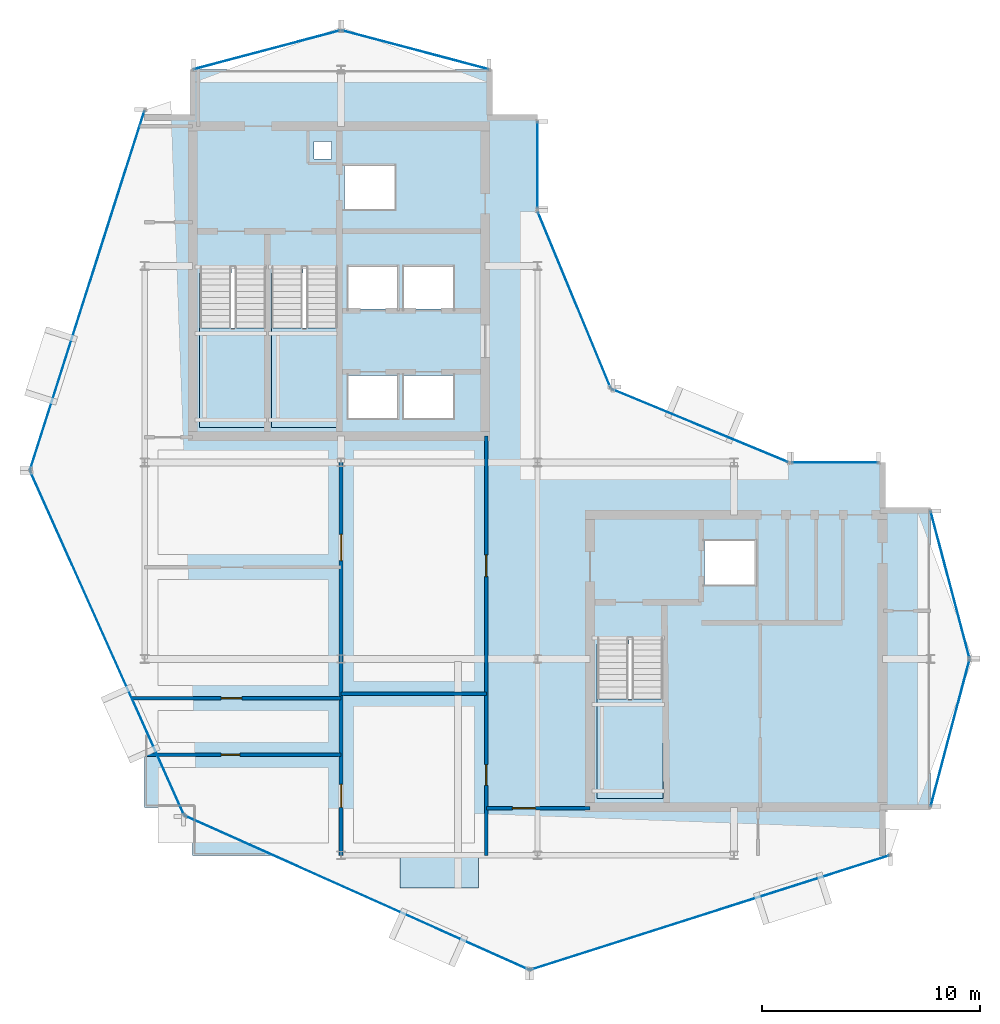
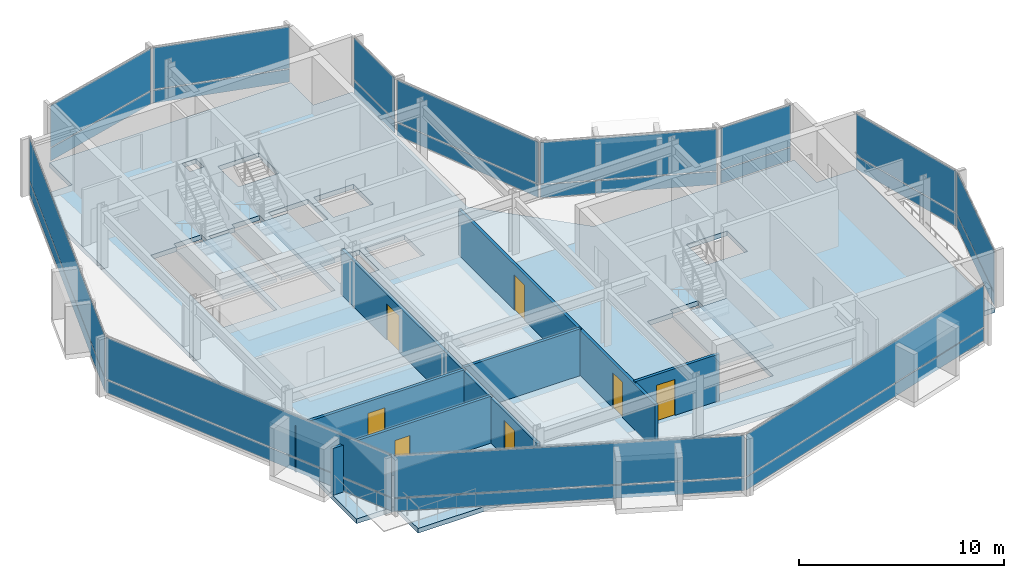
# One storey, part 13 of 19: 24 plates, 7 doors, 6 walls, 5 slabs, 7 openings, 15 elements without a shape of their own.
"""IFC4 building model written with IfcOpenShell, lengths in metres."""

from ifc_helpers import new_model, si_unit, direction, frame, frame_2d, origin, origin_2d, place, context, subcontext, project, spatial, polyline, rectangle, outline, extrude, material, layer, layer_set, type_object, element, fill, aggregate, save


model = new_model("IFC4")

# Units and contexts
model_context = context("Model", 3, precision=1e-05, world=origin(), true_north=direction((0.0, 1.0)))
body_context = subcontext(model_context, "Body", "Model", "MODEL_VIEW")
ifc_project = project(units=[si_unit("LENGTHUNIT", "METRE"), si_unit("AREAUNIT", "SQUARE_METRE"), si_unit("VOLUMEUNIT", "CUBIC_METRE"), si_unit("PLANEANGLEUNIT", "RADIAN"), si_unit("MASSUNIT", "GRAM", prefix="KILO")], contexts=[model_context])

# Site, building, storey
site_placement = place(None, origin())
site = spatial("IfcSite", under=ifc_project, at=site_placement, CompositionType="ELEMENT")
building_placement = place(site_placement, origin())
building = spatial("IfcBuilding", under=site, at=building_placement, Name="Solvaryn Broadcast Tower", CompositionType="ELEMENT")
storey_placement = place(building_placement, frame((0.0, 0.0, 240.800048828125)))
storey = spatial("IfcBuildingStorey", under=building, at=storey_placement, Name="L60", CompositionType="ELEMENT", Elevation=240.800048828125)

# Curtain wall, plates
ifc_material_1 = material(Name="Aluminium and Terracotta Unitised Curtain Wall", Category="masonry")
ifc_layer_1 = layer(ifc_material_1, 0.199951171875)
ifc_layer_set_1 = layer_set([ifc_layer_1], Name="CW-SYS2-LOWMID")
curtain_wall_type = type_object("IfcCurtainWallType", Name="CW-SYS2-LOWMID", PredefinedType="NOTDEFINED", material=ifc_layer_set_1)
curtain_wall_1_placement = place(storey_placement, origin())
curtain_wall_1 = element("IfcCurtainWall", 1, at=curtain_wall_1_placement, inside=storey, type_object=curtain_wall_type, Name="L60 Curtain Wall DR1", PredefinedType="NOTDEFINED")
ifc_material_2 = material(Name="Kiln-Fired Architectural Terracotta Spandrel", Category="masonry")
ifc_layer_2 = layer(ifc_material_2, 0.048095703125)
ifc_layer_set_2 = layer_set([ifc_layer_2], Name="CW-PNL-TERRACOTTA")
plate_type = type_object("IfcPlateType", Name="CW-PNL-TERRACOTTA", PredefinedType="CURTAIN_PANEL", material=ifc_layer_set_2)
plate_1_placement = place(storey_placement, frame((6.368896484375, 34.892578125, 0.06005859375), z_axis=(0.0, 0.0, 1.0), x_axis=(-0.30361564569, -0.952794594701, 0.0)))
plate_1 = element("IfcPlate", 2, at=plate_1_placement, type_object=plate_type, Name="CWS2 panel 1.1", PredefinedType="CURTAIN_PANEL", context=body_context, shape_type="SweptSolid", body=[
    extrude(rectangle(XDim=17.211181640625, YDim=0.028076171875, at=origin_2d()), origin(), (0.0, 0.0, 1.0), 0.760009765625),
])
plate_2_placement = place(storey_placement, frame((6.368896484375, 34.892578125, 0.8798828125), z_axis=(0.0, 0.0, 1.0), x_axis=(-0.30361564569, -0.952794594701, 0.0)))
plate_2 = element("IfcPlate", 3, at=plate_2_placement, type_object=plate_type, Name="CWS2 panel 1.2", PredefinedType="CURTAIN_PANEL", context=body_context, shape_type="SweptSolid", body=[
    extrude(rectangle(XDim=17.211181640625, YDim=0.028076171875, at=origin_2d()), origin(), (0.0, 0.0, 1.0), 2.47998046875),
])
aggregate(curtain_wall_1, [plate_1, plate_2])

curtain_wall_2_placement = place(storey_placement, origin())
curtain_wall_2 = element("IfcCurtainWall", 4, at=curtain_wall_2_placement, inside=storey, type_object=curtain_wall_type, Name="L60 Curtain Wall DR2", PredefinedType="NOTDEFINED")
plate_3_placement = place(storey_placement, frame((7.277587890625, 18.7265625, 0.06005859375), z_axis=(0.0, 0.0, 1.0), x_axis=(0.408466010682, -0.912773530574, 0.0)))
plate_3 = element("IfcPlate", 5, at=plate_3_placement, type_object=plate_type, Name="CWS2 panel 1.1", PredefinedType="CURTAIN_PANEL", context=body_context, shape_type="SweptSolid", body=[
    extrude(rectangle(XDim=17.210693359375, YDim=0.028076171875, at=origin_2d()), origin(), (0.0, 0.0, 1.0), 0.760009765625),
])
plate_4_placement = place(storey_placement, frame((7.277587890625, 18.7265625, 0.8798828125), z_axis=(0.0, 0.0, 1.0), x_axis=(0.408466010682, -0.912773530574, 0.0)))
plate_4 = element("IfcPlate", 6, at=plate_4_placement, type_object=plate_type, Name="CWS2 panel 1.2", PredefinedType="CURTAIN_PANEL", context=body_context, shape_type="SweptSolid", body=[
    extrude(rectangle(XDim=17.210693359375, YDim=0.028076171875, at=origin_2d()), origin(), (0.0, 0.0, 1.0), 2.47998046875),
])
aggregate(curtain_wall_2, [plate_3, plate_4])

curtain_wall_3_placement = place(storey_placement, origin())
curtain_wall_3 = element("IfcCurtainWall", 7, at=curtain_wall_3_placement, inside=storey, type_object=curtain_wall_type, Name="L60 Curtain Wall DR3", PredefinedType="NOTDEFINED")
plate_5_placement = place(storey_placement, frame((18.7265625, 7.277587890625, 0.06005859375), z_axis=(0.0, 0.0, 1.0), x_axis=(0.912773530574, -0.408466010682, 0.0)))
plate_5 = element("IfcPlate", 8, at=plate_5_placement, type_object=plate_type, Name="CWS2 panel 1.1", PredefinedType="CURTAIN_PANEL", context=body_context, shape_type="SweptSolid", body=[
    extrude(rectangle(XDim=17.210693359375, YDim=0.028076171875, at=origin_2d()), origin(), (0.0, 0.0, 1.0), 0.760009765625),
])
plate_6_placement = place(storey_placement, frame((18.7265625, 7.277587890625, 0.8798828125), z_axis=(0.0, 0.0, 1.0), x_axis=(0.912773530574, -0.408466010682, 0.0)))
plate_6 = element("IfcPlate", 9, at=plate_6_placement, type_object=plate_type, Name="CWS2 panel 1.2", PredefinedType="CURTAIN_PANEL", context=body_context, shape_type="SweptSolid", body=[
    extrude(rectangle(XDim=17.210693359375, YDim=0.028076171875, at=origin_2d()), origin(), (0.0, 0.0, 1.0), 2.47998046875),
])
aggregate(curtain_wall_3, [plate_5, plate_6])

curtain_wall_4_placement = place(storey_placement, origin())
curtain_wall_4 = element("IfcCurtainWall", 10, at=curtain_wall_4_placement, inside=storey, type_object=curtain_wall_type, Name="L60 Curtain Wall DR4", PredefinedType="NOTDEFINED")
plate_7_placement = place(storey_placement, frame((34.892578125, 6.368896484375, 0.06005859375), z_axis=(0.0, 0.0, 1.0), x_axis=(0.952794594701, 0.30361564569, 0.0)))
plate_7 = element("IfcPlate", 11, at=plate_7_placement, type_object=plate_type, Name="CWS2 panel 1.1", PredefinedType="CURTAIN_PANEL", context=body_context, shape_type="SweptSolid", body=[
    extrude(rectangle(XDim=17.211181640625, YDim=0.028076171875, at=origin_2d()), origin(), (0.0, 0.0, 1.0), 0.760009765625),
])
plate_8_placement = place(storey_placement, frame((34.892578125, 6.368896484375, 0.8798828125), z_axis=(0.0, 0.0, 1.0), x_axis=(0.952794594701, 0.30361564569, 0.0)))
plate_8 = element("IfcPlate", 12, at=plate_8_placement, type_object=plate_type, Name="CWS2 panel 1.2", PredefinedType="CURTAIN_PANEL", context=body_context, shape_type="SweptSolid", body=[
    extrude(rectangle(XDim=17.211181640625, YDim=0.028076171875, at=origin_2d()), origin(), (0.0, 0.0, 1.0), 2.47998046875),
])
aggregate(curtain_wall_4, [plate_7, plate_8])

curtain_wall_5_placement = place(storey_placement, origin())
curtain_wall_5 = element("IfcCurtainWall", 13, at=curtain_wall_5_placement, inside=storey, type_object=curtain_wall_type, Name="L60 Curtain Wall IV", PredefinedType="NOTDEFINED")
plate_9_placement = place(storey_placement, frame((27.0, 40.625, 0.06005859375), z_axis=(0.0, 0.0, 1.0), x_axis=(0.0, -1.0, 0.0)))
plate_9 = element("IfcPlate", 14, at=plate_9_placement, type_object=plate_type, Name="CWS2 panel 1.1", PredefinedType="CURTAIN_PANEL", context=body_context, shape_type="SweptSolid", body=[
    extrude(rectangle(XDim=3.929931640625, YDim=0.028076171875, at=origin_2d()), origin(), (0.0, 0.0, 1.0), 0.760009765625),
])
plate_10_placement = place(storey_placement, frame((27.0, 40.625, 0.8798828125), z_axis=(0.0, 0.0, 1.0), x_axis=(0.0, -1.0, 0.0)))
plate_10 = element("IfcPlate", 15, at=plate_10_placement, type_object=plate_type, Name="CWS2 panel 1.2", PredefinedType="CURTAIN_PANEL", context=body_context, shape_type="SweptSolid", body=[
    extrude(rectangle(XDim=3.929931640625, YDim=0.028076171875, at=origin_2d()), origin(), (0.0, 0.0, 1.0), 2.47998046875),
])
aggregate(curtain_wall_5, [plate_9, plate_10])

curtain_wall_6_placement = place(storey_placement, origin())
curtain_wall_6 = element("IfcCurtainWall", 16, at=curtain_wall_6_placement, inside=storey, type_object=curtain_wall_type, Name="L60 Curtain Wall CN1", PredefinedType="NOTDEFINED")
plate_11_placement = place(storey_placement, frame((34.43408203125, 28.68408203125, 0.06005859375), z_axis=(0.0, 0.0, 1.0), x_axis=(-0.923894983957, 0.382646127145, 0.0)))
plate_11 = element("IfcPlate", 17, at=plate_11_placement, type_object=plate_type, Name="CWS2 panel 1.1", PredefinedType="CURTAIN_PANEL", context=body_context, shape_type="SweptSolid", body=[
    extrude(rectangle(XDim=8.681884765625, YDim=0.028076171875, at=origin_2d()), origin(), (0.0, 0.0, 1.0), 0.760009765625),
])
plate_12_placement = place(storey_placement, frame((34.43408203125, 28.68408203125, 0.8798828125), z_axis=(0.0, 0.0, 1.0), x_axis=(-0.923894983957, 0.382646127145, 0.0)))
plate_12 = element("IfcPlate", 18, at=plate_12_placement, type_object=plate_type, Name="CWS2 panel 1.2", PredefinedType="CURTAIN_PANEL", context=body_context, shape_type="SweptSolid", body=[
    extrude(rectangle(XDim=8.681884765625, YDim=0.028076171875, at=origin_2d()), origin(), (0.0, 0.0, 1.0), 2.47998046875),
])
aggregate(curtain_wall_6, [plate_11, plate_12])

curtain_wall_7_placement = place(storey_placement, origin())
curtain_wall_7 = element("IfcCurtainWall", 19, at=curtain_wall_7_placement, inside=storey, type_object=curtain_wall_type, Name="L60 Curtain Wall CN2", PredefinedType="NOTDEFINED")
plate_13_placement = place(storey_placement, frame((28.68408203125, 34.43408203125, 0.06005859375), z_axis=(0.0, 0.0, 1.0), x_axis=(-0.382646127145, 0.923894983957, 0.0)))
plate_13 = element("IfcPlate", 20, at=plate_13_placement, type_object=plate_type, Name="CWS2 panel 1.1", PredefinedType="CURTAIN_PANEL", context=body_context, shape_type="SweptSolid", body=[
    extrude(rectangle(XDim=8.681884765625, YDim=0.028076171875, at=origin_2d()), origin(), (0.0, 0.0, 1.0), 0.760009765625),
])
plate_14_placement = place(storey_placement, frame((28.68408203125, 34.43408203125, 0.8798828125), z_axis=(0.0, 0.0, 1.0), x_axis=(-0.382646127145, 0.923894983957, 0.0)))
plate_14 = element("IfcPlate", 21, at=plate_14_placement, type_object=plate_type, Name="CWS2 panel 1.2", PredefinedType="CURTAIN_PANEL", context=body_context, shape_type="SweptSolid", body=[
    extrude(rectangle(XDim=8.681884765625, YDim=0.028076171875, at=origin_2d()), origin(), (0.0, 0.0, 1.0), 2.47998046875),
])
aggregate(curtain_wall_7, [plate_13, plate_14])

curtain_wall_8_placement = place(storey_placement, origin())
curtain_wall_8 = element("IfcCurtainWall", 22, at=curtain_wall_8_placement, inside=storey, type_object=curtain_wall_type, Name="L60 Curtain Wall NT1", PredefinedType="NOTDEFINED")
plate_15_placement = place(storey_placement, frame((21.39990234375, 45.89990234375, 0.06005859375), z_axis=(0.0, 0.0, 1.0), x_axis=(-0.966705227863, 0.25589256031, 0.0)))
plate_15 = element("IfcPlate", 23, at=plate_15_placement, type_object=plate_type, Name="CWS2 panel 1.1", PredefinedType="CURTAIN_PANEL", context=body_context, shape_type="SweptSolid", body=[
    extrude(rectangle(XDim=6.914306640625, YDim=0.028076171875, at=origin_2d()), origin(), (0.0, 0.0, 1.0), 0.760009765625),
])
plate_16_placement = place(storey_placement, frame((21.39990234375, 45.89990234375, 0.8798828125), z_axis=(0.0, 0.0, 1.0), x_axis=(-0.966705227863, 0.25589256031, 0.0)))
plate_16 = element("IfcPlate", 24, at=plate_16_placement, type_object=plate_type, Name="CWS2 panel 1.2", PredefinedType="CURTAIN_PANEL", context=body_context, shape_type="SweptSolid", body=[
    extrude(rectangle(XDim=6.914306640625, YDim=0.028076171875, at=origin_2d()), origin(), (0.0, 0.0, 1.0), 2.47998046875),
])
aggregate(curtain_wall_8, [plate_15, plate_16])

curtain_wall_9_placement = place(storey_placement, origin())
curtain_wall_9 = element("IfcCurtainWall", 25, at=curtain_wall_9_placement, inside=storey, type_object=curtain_wall_type, Name="L60 Curtain Wall NT2", PredefinedType="NOTDEFINED")
plate_17_placement = place(storey_placement, frame((14.60009765625, 45.89990234375, 0.06005859375), z_axis=(0.0, 0.0, 1.0), x_axis=(-0.966705227863, -0.25589256031, 0.0)))
plate_17 = element("IfcPlate", 26, at=plate_17_placement, type_object=plate_type, Name="CWS2 panel 1.1", PredefinedType="CURTAIN_PANEL", context=body_context, shape_type="SweptSolid", body=[
    extrude(rectangle(XDim=6.914306640625, YDim=0.028076171875, at=origin_2d()), origin(), (0.0, 0.0, 1.0), 0.760009765625),
])
plate_18_placement = place(storey_placement, frame((14.60009765625, 45.89990234375, 0.8798828125), z_axis=(0.0, 0.0, 1.0), x_axis=(-0.966705227863, -0.25589256031, 0.0)))
plate_18 = element("IfcPlate", 27, at=plate_18_placement, type_object=plate_type, Name="CWS2 panel 1.2", PredefinedType="CURTAIN_PANEL", context=body_context, shape_type="SweptSolid", body=[
    extrude(rectangle(XDim=6.914306640625, YDim=0.028076171875, at=origin_2d()), origin(), (0.0, 0.0, 1.0), 2.47998046875),
])
aggregate(curtain_wall_9, [plate_17, plate_18])

curtain_wall_10_placement = place(storey_placement, origin())
curtain_wall_10 = element("IfcCurtainWall", 28, at=curtain_wall_10_placement, inside=storey, type_object=curtain_wall_type, Name="L60 Curtain Wall ET1", PredefinedType="NOTDEFINED")
plate_19_placement = place(storey_placement, frame((45.89990234375, 21.39990234375, 0.06005859375), z_axis=(0.0, 0.0, 1.0), x_axis=(0.25589256031, -0.966705227863, 0.0)))
plate_19 = element("IfcPlate", 29, at=plate_19_placement, type_object=plate_type, Name="CWS2 panel 1.1", PredefinedType="CURTAIN_PANEL", context=body_context, shape_type="SweptSolid", body=[
    extrude(rectangle(XDim=6.914306640625, YDim=0.028076171875, at=origin_2d()), origin(), (0.0, 0.0, 1.0), 0.760009765625),
])
plate_20_placement = place(storey_placement, frame((45.89990234375, 21.39990234375, 0.8798828125), z_axis=(0.0, 0.0, 1.0), x_axis=(0.25589256031, -0.966705227863, 0.0)))
plate_20 = element("IfcPlate", 30, at=plate_20_placement, type_object=plate_type, Name="CWS2 panel 1.2", PredefinedType="CURTAIN_PANEL", context=body_context, shape_type="SweptSolid", body=[
    extrude(rectangle(XDim=6.914306640625, YDim=0.028076171875, at=origin_2d()), origin(), (0.0, 0.0, 1.0), 2.47998046875),
])
aggregate(curtain_wall_10, [plate_19, plate_20])

curtain_wall_11_placement = place(storey_placement, origin())
curtain_wall_11 = element("IfcCurtainWall", 31, at=curtain_wall_11_placement, inside=storey, type_object=curtain_wall_type, Name="L60 Curtain Wall ET2", PredefinedType="NOTDEFINED")
plate_21_placement = place(storey_placement, frame((45.89990234375, 14.60009765625, 0.06005859375), z_axis=(0.0, 0.0, 1.0), x_axis=(-0.25589256031, -0.966705227863, 0.0)))
plate_21 = element("IfcPlate", 32, at=plate_21_placement, type_object=plate_type, Name="CWS2 panel 1.1", PredefinedType="CURTAIN_PANEL", context=body_context, shape_type="SweptSolid", body=[
    extrude(rectangle(XDim=6.914306640625, YDim=0.028076171875, at=origin_2d()), origin(), (0.0, 0.0, 1.0), 0.760009765625),
])
plate_22_placement = place(storey_placement, frame((45.89990234375, 14.60009765625, 0.8798828125), z_axis=(0.0, 0.0, 1.0), x_axis=(-0.25589256031, -0.966705227863, 0.0)))
plate_22 = element("IfcPlate", 33, at=plate_22_placement, type_object=plate_type, Name="CWS2 panel 1.2", PredefinedType="CURTAIN_PANEL", context=body_context, shape_type="SweptSolid", body=[
    extrude(rectangle(XDim=6.914306640625, YDim=0.028076171875, at=origin_2d()), origin(), (0.0, 0.0, 1.0), 2.47998046875),
])
aggregate(curtain_wall_11, [plate_21, plate_22])

curtain_wall_12_placement = place(storey_placement, origin())
curtain_wall_12 = element("IfcCurtainWall", 34, at=curtain_wall_12_placement, inside=storey, type_object=curtain_wall_type, Name="L60 Curtain Wall IH", PredefinedType="NOTDEFINED")
plate_23_placement = place(storey_placement, frame((40.625, 27.0, 0.06005859375), z_axis=(0.0, 0.0, 1.0), x_axis=(1.0, 0.0, 0.0)))
plate_23 = element("IfcPlate", 35, at=plate_23_placement, type_object=plate_type, Name="CWS2 panel 1.1", PredefinedType="CURTAIN_PANEL", context=body_context, shape_type="SweptSolid", body=[
    extrude(rectangle(XDim=3.929931640625, YDim=0.028076171875, at=origin_2d()), origin(), (0.0, 0.0, 1.0), 0.760009765625),
])
plate_24_placement = place(storey_placement, frame((40.625, 27.0, 0.8798828125), z_axis=(0.0, 0.0, 1.0), x_axis=(1.0, 0.0, 0.0)))
plate_24 = element("IfcPlate", 36, at=plate_24_placement, type_object=plate_type, Name="CWS2 panel 1.2", PredefinedType="CURTAIN_PANEL", context=body_context, shape_type="SweptSolid", body=[
    extrude(rectangle(XDim=3.929931640625, YDim=0.028076171875, at=origin_2d()), origin(), (0.0, 0.0, 1.0), 2.47998046875),
])
aggregate(curtain_wall_12, [plate_23, plate_24])

# Slab
ifc_material_3 = material(Name="Concrete f'c 60 MPa", Category="concrete")
ifc_layer_3 = layer(ifc_material_3, 0.2099609375)
ifc_layer_set_3 = layer_set([ifc_layer_3], Name="SL-BAYBOX-210")
slab_type_1 = type_object("IfcSlabType", Name="SL-BAYBOX-210", PredefinedType="FLOOR", material=ifc_layer_set_3)
slab_1_placement = place(storey_placement, frame((0.0, 0.0, -0.2099609375)))
element("IfcSlab", 37, at=slab_1_placement, inside=storey, type_object=slab_type_1, Name="L60 Projecting Bay-Box Slab 1", PredefinedType="FLOOR", context=body_context, shape_type="SweptSolid", body=[
    extrude(outline(polyline([(20.699951171875, 7.5), (24.300048828125, 7.5), (24.300048828125, 9.0), (20.699951171875, 9.0), (20.699951171875, 7.5)])), origin(), (0.0, 0.0, 1.0), 0.2099609375),
])

# Stair, slab
ifc_material_4 = material(Name="Concrete f'c 60 MPa", Category="concrete")
stair_type = type_object("IfcStairType", Name="ST-CORE", PredefinedType="HALF_TURN_STAIR", material=ifc_material_4)
stair_1_placement = place(storey_placement, origin())
stair_1 = element("IfcStair", 38, at=stair_1_placement, inside=storey, type_object=stair_type, Name="L60 ST1", PredefinedType="HALF_TURN_STAIR")
ifc_material_5 = material(Name="Concrete f'c 60 MPa", Category="concrete")
ifc_layer_4 = layer(ifc_material_5, 0.199951171875)
ifc_layer_set_4 = layer_set([ifc_layer_4], Name="SL-LANDING-200")
slab_type_2 = type_object("IfcSlabType", Name="SL-LANDING-200", PredefinedType="LANDING", material=ifc_layer_set_4)
slab_2_placement = place(storey_placement, frame((0.0, 0.0, 1.64990234375)))
slab_2 = element("IfcSlab", 39, at=slab_2_placement, type_object=slab_type_2, Name="ST1 landing 1", PredefinedType="LANDING", context=body_context, shape_type="SweptSolid", body=[
    extrude(outline(polyline([(11.52001953125, 33.159912109375), (11.52001953125, 28.60009765625), (14.550048828125, 28.60009765625), (14.550048828125, 33.159912109375), (11.52001953125, 33.159912109375)])), origin(), (0.0, 0.0, 1.0), 0.199951171875),
])
aggregate(stair_1, [slab_2])

stair_2_placement = place(storey_placement, origin())
stair_2 = element("IfcStair", 40, at=stair_2_placement, inside=storey, type_object=stair_type, Name="L60 ST2", PredefinedType="HALF_TURN_STAIR")
slab_3_placement = place(storey_placement, frame((0.0, 0.0, 1.64990234375)))
slab_3 = element("IfcSlab", 41, at=slab_3_placement, type_object=slab_type_2, Name="ST2 landing 1", PredefinedType="LANDING", context=body_context, shape_type="SweptSolid", body=[
    extrude(outline(polyline([(14.800048828125, 33.159912109375), (14.800048828125, 28.60009765625), (17.830078125, 28.60009765625), (17.830078125, 33.159912109375), (14.800048828125, 33.159912109375)])), origin(), (0.0, 0.0, 1.0), 0.199951171875),
])
aggregate(stair_2, [slab_3])

stair_3_placement = place(storey_placement, origin())
stair_3 = element("IfcStair", 42, at=stair_3_placement, inside=storey, type_object=stair_type, Name="L60 ST3", PredefinedType="HALF_TURN_STAIR")
slab_4_placement = place(storey_placement, frame((0.0, 0.0, 1.64990234375)))
slab_4 = element("IfcSlab", 43, at=slab_4_placement, type_object=slab_type_2, Name="ST3 landing 1", PredefinedType="LANDING", context=body_context, shape_type="SweptSolid", body=[
    extrude(outline(polyline([(29.719970703125, 16.159912109375), (29.719970703125, 11.60009765625), (32.75, 11.60009765625), (32.75, 16.159912109375), (29.719970703125, 16.159912109375)])), origin(), (0.0, 0.0, 1.0), 0.199951171875),
])
aggregate(stair_3, [slab_4])

# Slab
ifc_material_6 = material(Name="Concrete f'c 60 MPa", Category="concrete")
ifc_layer_5 = layer(ifc_material_6, 0.280029296875)
ifc_layer_set_5 = layer_set([ifc_layer_5], Name="SL-TWR-280")
slab_type_3 = type_object("IfcSlabType", Name="SL-TWR-280", PredefinedType="FLOOR", material=ifc_layer_set_5)
slab_5_placement = place(storey_placement, frame((0.0, 0.0, -0.280029296875)))
element("IfcSlab", 44, at=slab_5_placement, inside=storey, type_object=slab_type_3, Name="L60 Structural Floor Slab", PredefinedType="FLOOR", context=body_context, shape_type="SweptSolid", body=[
    extrude(outline(polyline([(11.199951171875, 9.0), (42.800048828125, 9.0), (42.800048828125, 11.199951171875), (45.0, 11.199951171875), (45.0, 24.800048828125), (42.800048828125, 24.800048828125), (42.800048828125, 27.0), (31.5, 27.0), (27.0, 31.5), (27.0, 42.800048828125), (24.800048828125, 42.800048828125), (24.800048828125, 45.0), (11.199951171875, 45.0), (11.199951171875, 42.800048828125), (9.0, 42.800048828125), (9.0, 11.199951171875), (11.199951171875, 11.199951171875), (11.199951171875, 9.0)]), holes=[polyline([(11.52001953125, 28.60009765625), (14.550048828125, 28.60009765625), (14.550048828125, 35.9599609375), (12.97998046875, 35.9599609375), (12.97998046875, 35.679931640625), (11.52001953125, 35.679931640625), (11.52001953125, 28.60009765625)]), polyline([(14.800048828125, 28.60009765625), (17.830078125, 28.60009765625), (17.830078125, 35.9599609375), (16.260009765625, 35.9599609375), (16.260009765625, 35.679931640625), (14.800048828125, 35.679931640625), (14.800048828125, 28.60009765625)]), polyline([(29.719970703125, 11.60009765625), (32.75, 11.60009765625), (32.75, 18.9599609375), (31.179931640625, 18.9599609375), (31.179931640625, 18.679931640625), (29.719970703125, 18.679931640625), (29.719970703125, 11.60009765625)]), polyline([(18.14990234375, 38.60009765625), (20.449951171875, 38.60009765625), (20.449951171875, 40.60009765625), (18.14990234375, 40.60009765625), (18.14990234375, 38.60009765625)]), polyline([(18.324951171875, 29.02490234375), (20.574951171875, 29.02490234375), (20.574951171875, 30.97509765625), (18.324951171875, 30.97509765625), (18.324951171875, 29.02490234375)]), polyline([(20.875, 29.02490234375), (23.125, 29.02490234375), (23.125, 30.97509765625), (20.875, 30.97509765625), (20.875, 29.02490234375)]), polyline([(18.324951171875, 34.02490234375), (20.574951171875, 34.02490234375), (20.574951171875, 35.97509765625), (18.324951171875, 35.97509765625), (18.324951171875, 34.02490234375)]), polyline([(20.875, 34.02490234375), (23.125, 34.02490234375), (23.125, 35.97509765625), (20.875, 35.97509765625), (20.875, 34.02490234375)]), polyline([(34.64990234375, 21.39990234375), (36.949951171875, 21.39990234375), (36.949951171875, 23.39990234375), (34.64990234375, 23.39990234375), (34.64990234375, 21.39990234375)]), polyline([(16.75, 40.89990234375), (17.550048828125, 40.89990234375), (17.550048828125, 41.699951171875), (16.75, 41.699951171875), (16.75, 40.89990234375)])]), origin(), (0.0, 0.0, 1.0), 0.280029296875),
])

# Wall, openings, doors
ifc_material_7 = material(Name="Metal-Stud Gypsum Office Partition")
ifc_layer_6 = layer(ifc_material_7, 0.159912109375)
ifc_layer_set_6 = layer_set([ifc_layer_6], Name="IW-PART-160")
wall_type_1 = type_object("IfcWallType", Name="IW-PART-160", PredefinedType="PARTITIONING", material=ifc_layer_set_6)
wall_1_placement = place(storey_placement, frame((24.64990234375, 9.0, 0.0), z_axis=(0.0, 0.0, 1.0), x_axis=(0.0, 1.0, 0.0)))
wall_1 = element("IfcWall", 45, at=wall_1_placement, inside=storey, type_object=wall_type_1, Name="L60 Interior Partition IW-L60-SW-EB", PredefinedType="PARTITIONING", context=body_context, shape_type="SweptSolid", body=[
    extrude(rectangle(XDim=19.199951171875, YDim=0.159912109375, at=frame_2d((9.60009765625, 0.0))), origin(), (0.0, 0.0, 1.0), 2.70703125),
])
opening_1_placement = place(wall_1_placement, frame((3.199951171875, 0.0, 0.0)))
opening_1 = element("IfcOpeningElement", 46, at=opening_1_placement, cuts=wall_1, Name="Opening ID01", PredefinedType="OPENING", context=body_context, shape_type="SweptSolid", body=[
    extrude(rectangle(XDim=0.949951171875, YDim=2.10009765625, at=frame_2d((0.47509765625, 1.050048828125))), frame((0.0, 0.090087890625, 0.0), z_axis=(0.0, -1.0, 0.0), x_axis=(1.0, 0.0, 0.0)), (0.0, 0.0, 1.0), 0.179931640625),
])
opening_2_placement = place(wall_1_placement, frame((12.764892578125, 0.0, 0.0)))
opening_2 = element("IfcOpeningElement", 47, at=opening_2_placement, cuts=wall_1, Name="Opening ID02", PredefinedType="OPENING", context=body_context, shape_type="SweptSolid", body=[
    extrude(rectangle(XDim=1.0, YDim=2.10009765625, at=frame_2d((0.5, 1.050048828125))), frame((0.0, 0.090087890625, 0.0), z_axis=(0.0, -1.0, 0.0), x_axis=(1.0, 0.0, 0.0)), (0.0, 0.0, 1.0), 0.179931640625),
])
ifc_material_8 = material(Name="Flush Acoustic Steel and Timber Door Assembly", Category="steel")
door_type_1 = type_object("IfcDoorType", Name="ID-01-950X2100", OperationType="NOTDEFINED", PredefinedType="DOOR", material=ifc_material_8)
door_1_placement = place(opening_1_placement, origin())
door_1 = element("IfcDoor", 48, at=door_1_placement, inside=storey, type_object=door_type_1, Name="L60 Door DR-L60-SWE-1", OperationType="SINGLE_SWING_RIGHT", OverallHeight=2.10009765625, OverallWidth=0.949951171875, PredefinedType="DOOR", context=body_context, shape_type="SweptSolid", body=[
    extrude(rectangle(XDim=0.949951171875, YDim=2.10009765625, at=frame_2d((0.47509765625, 1.050048828125))), frame((0.0, 0.02490234375, 0.0), z_axis=(0.0, -1.0, 0.0), x_axis=(1.0, 0.0, 0.0)), (0.0, 0.0, 1.0), 0.050048828125),
])
fill(opening_1, door_1)
ifc_material_9 = material(Name="Flush Acoustic Steel and Timber Door Assembly", Category="steel")
door_type_2 = type_object("IfcDoorType", Name="ID-02-1000X2100", OperationType="NOTDEFINED", PredefinedType="DOOR", material=ifc_material_9)
door_2_placement = place(opening_2_placement, origin())
door_2 = element("IfcDoor", 49, at=door_2_placement, inside=storey, type_object=door_type_2, Name="L60 Door DR-L60-SWE-2", OperationType="SINGLE_SWING_LEFT", OverallHeight=2.10009765625, OverallWidth=1.0, PredefinedType="DOOR", context=body_context, shape_type="SweptSolid", body=[
    extrude(rectangle(XDim=1.0, YDim=2.10009765625, at=frame_2d((0.5, 1.050048828125))), frame((0.0, 0.02490234375, 0.0), z_axis=(0.0, -1.0, 0.0), x_axis=(1.0, 0.0, 0.0)), (0.0, 0.0, 1.0), 0.050048828125),
])
fill(opening_2, door_2)

# Wall
wall_2_placement = place(storey_placement, frame((18.0, 16.39990234375, 0.0), z_axis=(0.0, 0.0, 1.0), x_axis=(1.0, 0.0, 0.0)))
element("IfcWall", 50, at=wall_2_placement, inside=storey, type_object=wall_type_1, Name="L60 Interior Partition IW-L60-SWE-H1", PredefinedType="PARTITIONING", context=body_context, shape_type="SweptSolid", body=[
    extrude(rectangle(XDim=6.64990234375, YDim=0.159912109375, at=frame_2d((3.324951171875, 0.0))), origin(), (0.0, 0.0, 1.0), 2.7890625),
])

# Wall, opening, door
wall_3_placement = place(storey_placement, frame((9.0, 13.60009765625, 0.0), z_axis=(0.0, 0.0, 1.0), x_axis=(1.0, 0.0, 0.0)))
wall_3 = element("IfcWall", 51, at=wall_3_placement, inside=storey, type_object=wall_type_1, Name="L60 Interior Partition IW-L60-SWW-H1", PredefinedType="PARTITIONING", context=body_context, shape_type="SweptSolid", body=[
    extrude(rectangle(XDim=9.0, YDim=0.159912109375, at=frame_2d((4.5, 0.0))), origin(), (0.0, 0.0, 1.0), 2.7919921875),
])
opening_3_placement = place(wall_3_placement, frame((3.5, 0.0, 0.0)))
opening_3 = element("IfcOpeningElement", 52, at=opening_3_placement, cuts=wall_3, Name="Opening ID07", PredefinedType="OPENING", context=body_context, shape_type="SweptSolid", body=[
    extrude(rectangle(XDim=0.860107421875, YDim=2.050048828125, at=frame_2d((0.43017578125, 1.02490234375))), frame((0.0, 0.090087890625, 0.0), z_axis=(0.0, -1.0, 0.0), x_axis=(1.0, 0.0, 0.0)), (0.0, 0.0, 1.0), 0.179931640625),
])
ifc_material_10 = material(Name="Flush Acoustic Steel and Timber Door Assembly", Category="steel")
door_type_3 = type_object("IfcDoorType", Name="ID-07-860X2050", OperationType="NOTDEFINED", PredefinedType="DOOR", material=ifc_material_10)
door_3_placement = place(opening_3_placement, origin())
door_3 = element("IfcDoor", 53, at=door_3_placement, inside=storey, type_object=door_type_3, Name="L60 Door DR-L60-SWW-1", OperationType="SINGLE_SWING_RIGHT", OverallHeight=2.050048828125, OverallWidth=0.860107421875, PredefinedType="DOOR", context=body_context, shape_type="SweptSolid", body=[
    extrude(rectangle(XDim=0.860107421875, YDim=2.050048828125, at=frame_2d((0.43017578125, 1.02490234375))), frame((0.0, 0.02490234375, 0.0), z_axis=(0.0, -1.0, 0.0), x_axis=(1.0, 0.0, 0.0)), (0.0, 0.0, 1.0), 0.050048828125),
])
fill(opening_3, door_3)

wall_4_placement = place(storey_placement, frame((8.407958984375, 16.199951171875, 0.0), z_axis=(0.0, 0.0, 1.0), x_axis=(1.0, 0.0, 0.0)))
wall_4 = element("IfcWall", 54, at=wall_4_placement, inside=storey, type_object=wall_type_1, Name="L60 Interior Partition IW-L60-SWW-H2", PredefinedType="PARTITIONING", context=body_context, shape_type="SweptSolid", body=[
    extrude(rectangle(XDim=9.592041015625, YDim=0.159912109375, at=frame_2d((4.7958984375, 0.0))), origin(), (0.0, 0.0, 1.0), 2.7919921875),
])
opening_4_placement = place(wall_4_placement, frame((4.092041015625, 0.0, 0.0)))
opening_4 = element("IfcOpeningElement", 55, at=opening_4_placement, cuts=wall_4, Name="Opening ID01", PredefinedType="OPENING", context=body_context, shape_type="SweptSolid", body=[
    extrude(rectangle(XDim=0.949951171875, YDim=2.10009765625, at=frame_2d((0.47509765625, 1.050048828125))), frame((0.0, 0.090087890625, 0.0), z_axis=(0.0, -1.0, 0.0), x_axis=(1.0, 0.0, 0.0)), (0.0, 0.0, 1.0), 0.179931640625),
])
door_4_placement = place(opening_4_placement, origin())
door_4 = element("IfcDoor", 56, at=door_4_placement, inside=storey, type_object=door_type_1, Name="L60 Door DR-L60-SWW-2", OperationType="SINGLE_SWING_LEFT", OverallHeight=2.10009765625, OverallWidth=0.949951171875, PredefinedType="DOOR", context=body_context, shape_type="SweptSolid", body=[
    extrude(rectangle(XDim=0.949951171875, YDim=2.10009765625, at=frame_2d((0.47509765625, 1.050048828125))), frame((0.0, 0.02490234375, 0.0), z_axis=(0.0, -1.0, 0.0), x_axis=(1.0, 0.0, 0.0)), (0.0, 0.0, 1.0), 0.050048828125),
])
fill(opening_4, door_4)

wall_5_placement = place(storey_placement, frame((24.64990234375, 11.14990234375, 0.0), z_axis=(0.0, 0.0, 1.0), x_axis=(1.0, 0.0, 0.0)))
wall_5 = element("IfcWall", 57, at=wall_5_placement, inside=storey, type_object=wall_type_1, Name="L60 Interior Partition IW-L60-SC-N", PredefinedType="PARTITIONING", context=body_context, shape_type="SweptSolid", body=[
    extrude(rectangle(XDim=4.75, YDim=0.159912109375, at=frame_2d((2.375, 0.0))), origin(), (0.0, 0.0, 1.0), 2.7919921875),
])
opening_5_placement = place(wall_5_placement, frame((1.199951171875, 0.0, 0.0)))
opening_5 = element("IfcOpeningElement", 58, at=opening_5_placement, cuts=wall_5, Name="Opening ID03", PredefinedType="OPENING", context=body_context, shape_type="SweptSolid", body=[
    extrude(rectangle(XDim=1.050048828125, YDim=2.14990234375, at=frame_2d((0.52490234375, 1.074951171875))), frame((0.0, 0.090087890625, 0.0), z_axis=(0.0, -1.0, 0.0), x_axis=(1.0, 0.0, 0.0)), (0.0, 0.0, 1.0), 0.179931640625),
])
ifc_material_11 = material(Name="Flush Acoustic Steel and Timber Door Assembly", Category="steel")
door_type_4 = type_object("IfcDoorType", Name="ID-03-1050X2150", OperationType="NOTDEFINED", PredefinedType="DOOR", material=ifc_material_11)
door_5_placement = place(opening_5_placement, origin())
door_5 = element("IfcDoor", 59, at=door_5_placement, inside=storey, type_object=door_type_4, Name="L60 Door DR-L60-SC0", OperationType="SINGLE_SWING_LEFT", OverallHeight=2.14990234375, OverallWidth=1.050048828125, PredefinedType="DOOR", context=body_context, shape_type="SweptSolid", body=[
    extrude(rectangle(XDim=1.050048828125, YDim=2.14990234375, at=frame_2d((0.52490234375, 1.074951171875))), frame((0.0, 0.02490234375, 0.0), z_axis=(0.0, -1.0, 0.0), x_axis=(1.0, 0.0, 0.0)), (0.0, 0.0, 1.0), 0.050048828125),
])
fill(opening_5, door_5)

# Wall, openings, doors
ifc_material_12 = material(Name="Acoustic Metal-Stud Gypsum Partition")
ifc_layer_7 = layer(ifc_material_12, 0.179931640625)
ifc_layer_set_7 = layer_set([ifc_layer_7], Name="IW-PART-180")
wall_type_2 = type_object("IfcWallType", Name="IW-PART-180", PredefinedType="PARTITIONING", material=ifc_layer_set_7)
wall_6_placement = place(storey_placement, frame((18.0, 9.0, 0.0), z_axis=(0.0, 0.0, 1.0), x_axis=(0.0, 1.0, 0.0)))
wall_6 = element("IfcWall", 60, at=wall_6_placement, inside=storey, type_object=wall_type_2, Name="L60 Interior Partition IW-L60-SW-VX", PredefinedType="PARTITIONING", context=body_context, shape_type="SweptSolid", body=[
    extrude(rectangle(XDim=19.1298828125, YDim=0.179931640625, at=frame_2d((9.56494140625, 0.0))), origin(), (0.0, 0.0, 1.0), 2.70703125),
])
opening_6_placement = place(wall_6_placement, frame((2.199951171875, 0.0, 0.0)))
opening_6 = element("IfcOpeningElement", 61, at=opening_6_placement, cuts=wall_6, Name="Opening ID03", PredefinedType="OPENING", context=body_context, shape_type="SweptSolid", body=[
    extrude(rectangle(XDim=1.050048828125, YDim=2.14990234375, at=frame_2d((0.52490234375, 1.074951171875))), frame((0.0, 0.099853515625, 0.0), z_axis=(0.0, -1.0, 0.0), x_axis=(1.0, 0.0, 0.0)), (0.0, 0.0, 1.0), 0.199951171875),
])
opening_7_placement = place(wall_6_placement, frame((13.5, 0.0, 0.0)))
opening_7 = element("IfcOpeningElement", 62, at=opening_7_placement, cuts=wall_6, Name="Opening ID04", PredefinedType="OPENING", context=body_context, shape_type="SweptSolid", body=[
    extrude(rectangle(XDim=1.199951171875, YDim=2.14990234375, at=frame_2d((0.60009765625, 1.074951171875))), frame((0.0, 0.099853515625, 0.0), z_axis=(0.0, -1.0, 0.0), x_axis=(1.0, 0.0, 0.0)), (0.0, 0.0, 1.0), 0.199951171875),
])
door_6_placement = place(opening_6_placement, origin())
door_6 = element("IfcDoor", 63, at=door_6_placement, inside=storey, type_object=door_type_4, Name="L60 Door DR-L60-SWW-X1", OperationType="SINGLE_SWING_RIGHT", OverallHeight=2.14990234375, OverallWidth=1.050048828125, PredefinedType="DOOR", context=body_context, shape_type="SweptSolid", body=[
    extrude(rectangle(XDim=1.050048828125, YDim=2.14990234375, at=frame_2d((0.52490234375, 1.074951171875))), frame((0.0, 0.02490234375, 0.0), z_axis=(0.0, -1.0, 0.0), x_axis=(1.0, 0.0, 0.0)), (0.0, 0.0, 1.0), 0.050048828125),
])
fill(opening_6, door_6)
ifc_material_13 = material(Name="Flush Acoustic Steel and Timber Door Assembly", Category="steel")
door_type_5 = type_object("IfcDoorType", Name="ID-04-1200X2150", OperationType="NOTDEFINED", PredefinedType="DOOR", material=ifc_material_13)
door_7_placement = place(opening_7_placement, origin())
door_7 = element("IfcDoor", 64, at=door_7_placement, inside=storey, type_object=door_type_5, Name="L60 Door DR-L60-SWW-X2", OperationType="SINGLE_SWING_LEFT", OverallHeight=2.14990234375, OverallWidth=1.199951171875, PredefinedType="DOOR", context=body_context, shape_type="SweptSolid", body=[
    extrude(rectangle(XDim=1.199951171875, YDim=2.14990234375, at=frame_2d((0.60009765625, 1.074951171875))), frame((0.0, 0.02490234375, 0.0), z_axis=(0.0, -1.0, 0.0), x_axis=(1.0, 0.0, 0.0)), (0.0, 0.0, 1.0), 0.050048828125),
])
fill(opening_7, door_7)

save(model, "model.ifc")
